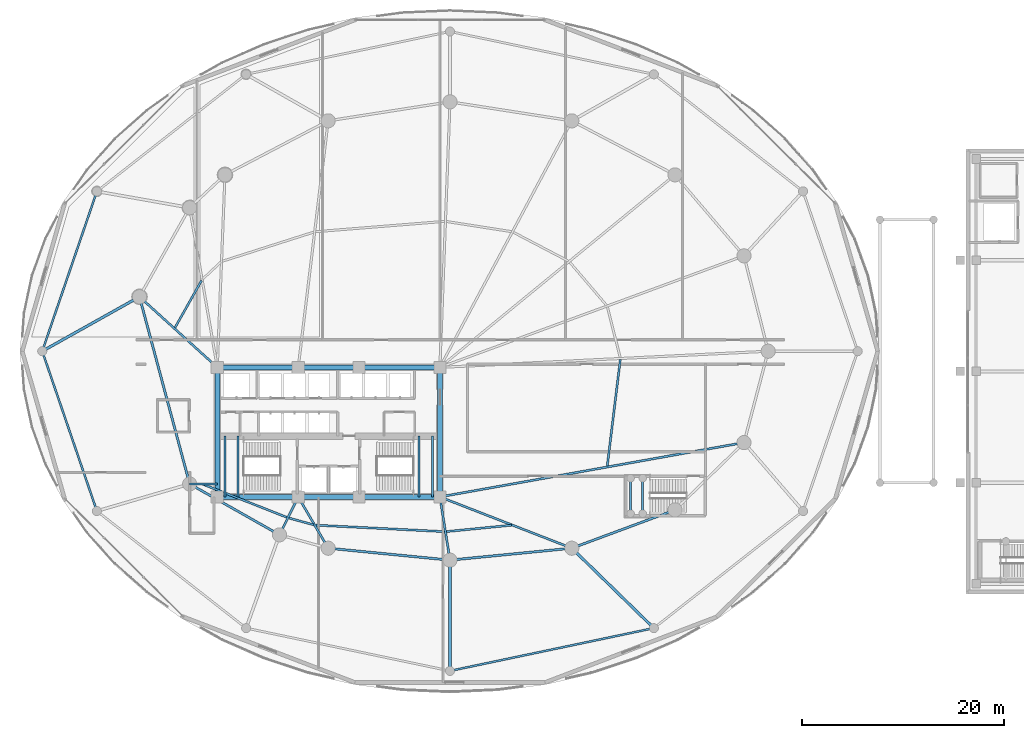
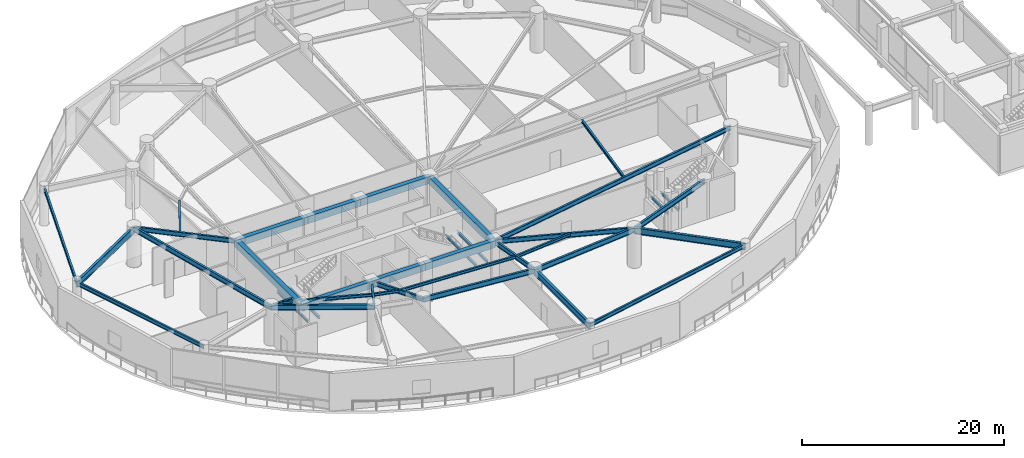
# One storey, part 5 of 40: 38 beams.
"""IFC4 building model written with IfcOpenShell, lengths in metres."""

from ifc_helpers import new_model, si_unit, direction, frame, origin, origin_2d, place, context, subcontext, project, spatial, rectangle, i_section, extrude, material, material_profile, profile_set, type_object, element, save


model = new_model("IFC4")

# Units and contexts
model_context = context("Model", 3, precision=1e-05, world=origin(), true_north=direction((0.0, 1.0)))
body_context = subcontext(model_context, "Body", "Model", "MODEL_VIEW")
ifc_project = project(units=[si_unit("LENGTHUNIT", "METRE"), si_unit("AREAUNIT", "SQUARE_METRE"), si_unit("VOLUMEUNIT", "CUBIC_METRE"), si_unit("PLANEANGLEUNIT", "RADIAN"), si_unit("MASSUNIT", "GRAM", prefix="KILO")], contexts=[model_context])

# Site, building, storey
site_placement = place(None, origin())
site = spatial("IfcSite", under=ifc_project, at=site_placement, CompositionType="ELEMENT")
building_placement = place(site_placement, origin())
building = spatial("IfcBuilding", under=site, at=building_placement, Name="Kazevale Care Tower and Concert Hall", CompositionType="ELEMENT")
storey_placement = place(building_placement, frame((0.0, 0.0, 9.60009765625)))
storey = spatial("IfcBuildingStorey", under=building, at=storey_placement, Name="L02", CompositionType="ELEMENT", Elevation=9.60009765625)

# Beams
ifc_material_1 = material(Name="Concrete C60", Category="concrete")
ifc_material_profile_1 = material_profile(ifc_material_1, rectangle(XDim=0.5, YDim=0.85009765625, at=origin_2d()), Name="RC-B500x850")
ifc_profile_set_1 = profile_set([ifc_material_profile_1], Name="Concrete C60")
beam_type_1 = type_object("IfcBeamType", Name="Core Coupling Beam RC500x850", PredefinedType="LINTEL", material=ifc_profile_set_1)
beam_1_placement = place(storey_placement, frame((22.0, 23.60009765625, 4.094970703125), z_axis=(1.0, 0.0, 0.0), x_axis=(0.0, 1.0, 0.0)))
element("IfcBeam", 1, at=beam_1_placement, inside=storey, type_object=beam_type_1, Name="beam:L02:coretie:1", PredefinedType="LINTEL", context=body_context, shape_type="SweptSolid", body=[
    extrude(rectangle(XDim=0.5, YDim=0.85009765625, at=origin_2d()), origin(), (0.0, 0.0, 1.0), 8.0),
])
beam_2_placement = place(storey_placement, frame((30.0, 23.60009765625, 4.094970703125), z_axis=(1.0, 0.0, 0.0), x_axis=(0.0, 1.0, 0.0)))
element("IfcBeam", 2, at=beam_2_placement, inside=storey, type_object=beam_type_1, Name="beam:L02:coretie:2", PredefinedType="LINTEL", context=body_context, shape_type="SweptSolid", body=[
    extrude(rectangle(XDim=0.5, YDim=0.85009765625, at=origin_2d()), origin(), (0.0, 0.0, 1.0), 6.0),
])
beam_3_placement = place(storey_placement, frame((36.0, 23.60009765625, 4.094970703125), z_axis=(1.0, 0.0, 0.0), x_axis=(0.0, 1.0, 0.0)))
element("IfcBeam", 3, at=beam_3_placement, inside=storey, type_object=beam_type_1, Name="beam:L02:coretie:3", PredefinedType="LINTEL", context=body_context, shape_type="SweptSolid", body=[
    extrude(rectangle(XDim=0.5, YDim=0.85009765625, at=origin_2d()), origin(), (0.0, 0.0, 1.0), 8.0),
])
beam_4_placement = place(storey_placement, frame((44.0, 23.60009765625, 4.094970703125), z_axis=(0.0, 1.0, 0.0), x_axis=(-1.0, 0.0, 0.0)))
element("IfcBeam", 4, at=beam_4_placement, inside=storey, type_object=beam_type_1, Name="beam:L02:coretie:4", PredefinedType="LINTEL", context=body_context, shape_type="SweptSolid", body=[
    extrude(rectangle(XDim=0.5, YDim=0.85009765625, at=origin_2d()), origin(), (0.0, 0.0, 1.0), 12.7998046875),
])
beam_5_placement = place(storey_placement, frame((44.0, 36.39990234375, 4.094970703125), z_axis=(-1.0, 0.0, 0.0), x_axis=(0.0, -1.0, 0.0)))
element("IfcBeam", 5, at=beam_5_placement, inside=storey, type_object=beam_type_1, Name="beam:L02:coretie:5", PredefinedType="LINTEL", context=body_context, shape_type="SweptSolid", body=[
    extrude(rectangle(XDim=0.5, YDim=0.85009765625, at=origin_2d()), origin(), (0.0, 0.0, 1.0), 8.0),
])
beam_6_placement = place(storey_placement, frame((36.0, 36.39990234375, 4.094970703125), z_axis=(-1.0, 0.0, 0.0), x_axis=(0.0, -1.0, 0.0)))
element("IfcBeam", 6, at=beam_6_placement, inside=storey, type_object=beam_type_1, Name="beam:L02:coretie:6", PredefinedType="LINTEL", context=body_context, shape_type="SweptSolid", body=[
    extrude(rectangle(XDim=0.5, YDim=0.85009765625, at=origin_2d()), origin(), (0.0, 0.0, 1.0), 6.0),
])
beam_7_placement = place(storey_placement, frame((30.0, 36.39990234375, 4.094970703125), z_axis=(-1.0, 0.0, 0.0), x_axis=(0.0, -1.0, 0.0)))
element("IfcBeam", 7, at=beam_7_placement, inside=storey, type_object=beam_type_1, Name="beam:L02:coretie:7", PredefinedType="LINTEL", context=body_context, shape_type="SweptSolid", body=[
    extrude(rectangle(XDim=0.5, YDim=0.85009765625, at=origin_2d()), origin(), (0.0, 0.0, 1.0), 8.0),
])
beam_8_placement = place(storey_placement, frame((22.0, 36.39990234375, 4.094970703125), z_axis=(0.0, -1.0, 0.0), x_axis=(1.0, 0.0, 0.0)))
element("IfcBeam", 8, at=beam_8_placement, inside=storey, type_object=beam_type_1, Name="beam:L02:coretie:8", PredefinedType="LINTEL", context=body_context, shape_type="SweptSolid", body=[
    extrude(rectangle(XDim=0.5, YDim=0.85009765625, at=origin_2d()), origin(), (0.0, 0.0, 1.0), 12.7998046875),
])
ifc_material_2 = material(Name="Steel ASTM A572 Gr 50", Category="steel")
ifc_material_profile_2 = material_profile(ifc_material_2, i_section(OverallWidth=0.194091796875, OverallDepth=0.468994140625, WebThickness=0.0126953125, FlangeThickness=0.0205078125, at=origin_2d()), Name="W460x106")
ifc_profile_set_2 = profile_set([ifc_material_profile_2], Name="Steel ASTM A572 Gr 50")
beam_type_2 = type_object("IfcBeamType", Name="Podium Floor Beam W460x106", PredefinedType="BEAM", material=ifc_profile_set_2)
for number, where, z_axis, x_axis, name in (
    (9, (10.10009765625, 53.800048828125, 4.285400390625), (-0.323412440773, -0.946258100707, 0.0), (0.946258100707, -0.323412440773, 0.0), "beam:L02:podring:06"),
    (10, (4.699951171875, 38.0, 4.285400390625), (0.323412440773, -0.946258100707, 0.0), (0.946258100707, 0.323412440773, 0.0), "beam:L02:podring:07"),
):
    element("IfcBeam", number, at=place(storey_placement, frame(where, z_axis=z_axis, x_axis=x_axis)), inside=storey, type_object=beam_type_2, Name=name, PredefinedType="BEAM", context=body_context, shape_type="SweptSolid", body=[
        extrude(i_section(OverallWidth=0.194091796875, OverallDepth=0.468994140625, WebThickness=0.0126953125, FlangeThickness=0.0205078125, at=origin_2d()), origin(), (0.0, 0.0, 1.0), 16.697509765625),
    ])
beam_9_placement = place(storey_placement, frame((45.0, 6.39990234375, 4.285400390625), z_axis=(0.978668137727, 0.205447502293, 0.0), x_axis=(-0.205447502293, 0.978668137727, 0.0)))
element("IfcBeam", 11, at=beam_9_placement, inside=storey, type_object=beam_type_2, Name="beam:L02:podring:10", PredefinedType="BEAM", context=body_context, shape_type="SweptSolid", body=[
    extrude(i_section(OverallWidth=0.194091796875, OverallDepth=0.468994140625, WebThickness=0.0126953125, FlangeThickness=0.0205078125, at=origin_2d()), origin(), (0.0, 0.0, 1.0), 20.589111328125),
])
ifc_material_profile_3 = material_profile(ifc_material_2, i_section(OverallWidth=0.26806640625, OverallDepth=0.77001953125, WebThickness=0.015625, FlangeThickness=0.025390625, at=origin_2d()), Name="W760x196")
ifc_profile_set_3 = profile_set([ifc_material_profile_3], Name="Steel ASTM A572 Gr 50")
beam_type_3 = type_object("IfcBeamType", Name="Podium Primary Girder W760x196", PredefinedType="BEAM", material=ifc_profile_set_3)
beam_10_placement = place(storey_placement, frame((14.31005859375, 43.3798828125, 4.135009765625), z_axis=(-0.872574804498, -0.488480511951, 0.0), x_axis=(0.488480511951, -0.872574804498, 0.0)))
element("IfcBeam", 12, at=beam_10_placement, inside=storey, type_object=beam_type_3, Name="beam:L02:podrad:07", PredefinedType="BEAM", context=body_context, shape_type="SweptSolid", body=[
    extrude(i_section(OverallWidth=0.26806640625, OverallDepth=0.77001953125, WebThickness=0.015625, FlangeThickness=0.025390625, at=origin_2d()), origin(), (0.0, 0.0, 1.0), 11.013427734375),
])
beam_11_placement = place(storey_placement, frame((45.0, 17.35009765625, 4.135009765625), z_axis=(0.0, -1.0, 0.0), x_axis=(1.0, 0.0, 0.0)))
element("IfcBeam", 13, at=beam_11_placement, inside=storey, type_object=beam_type_3, Name="beam:L02:podrad:10", PredefinedType="BEAM", context=body_context, shape_type="SweptSolid", body=[
    extrude(i_section(OverallWidth=0.26806640625, OverallDepth=0.77001953125, WebThickness=0.015625, FlangeThickness=0.025390625, at=origin_2d()), origin(), (0.0, 0.0, 1.0), 10.9501953125),
])
beam_12_placement = place(storey_placement, frame((57.0400390625, 18.530029296875, 4.135009765625), z_axis=(0.716307795312, -0.697784452661, 0.0), x_axis=(0.697784452661, 0.716307795312, 0.0)))
element("IfcBeam", 14, at=beam_12_placement, inside=storey, type_object=beam_type_3, Name="beam:L02:podrad:11", PredefinedType="BEAM", context=body_context, shape_type="SweptSolid", body=[
    extrude(i_section(OverallWidth=0.26806640625, OverallDepth=0.77001953125, WebThickness=0.015625, FlangeThickness=0.025390625, at=origin_2d()), origin(), (0.0, 0.0, 1.0), 11.32177734375),
])
ifc_material_profile_4 = material_profile(ifc_material_2, i_section(OverallWidth=0.2119140625, OverallDepth=0.5439453125, WebThickness=0.01318359375, FlangeThickness=0.021240234375, at=origin_2d()), Name="W530x123")
ifc_profile_set_4 = profile_set([ifc_material_profile_4], Name="Steel ASTM A572 Gr 50")
beam_type_4 = type_object("IfcBeamType", Name="Radial Floor Girder W530x123", PredefinedType="BEAM", material=ifc_profile_set_4)
beam_13_placement = place(storey_placement, frame((22.0, 36.39990234375, 4.247802734375), z_axis=(-0.740461073653, 0.672099247436, 0.0), x_axis=(-0.672099247436, -0.740461073653, 0.0)))
element("IfcBeam", 15, at=beam_13_placement, inside=storey, type_object=beam_type_4, Name="beam:L02:rad:09", PredefinedType="BEAM", context=body_context, shape_type="SweptSolid", body=[
    extrude(i_section(OverallWidth=0.2119140625, OverallDepth=0.5439453125, WebThickness=0.01318359375, FlangeThickness=0.021240234375, at=origin_2d()), origin(), (0.0, 0.0, 1.0), 10.38525390625),
])
beam_14_placement = place(storey_placement, frame((22.0, 24.8798828125, 4.247802734375), z_axis=(-1.0, 0.0, 0.0), x_axis=(0.0, -1.0, 0.0)))
element("IfcBeam", 16, at=beam_14_placement, inside=storey, type_object=beam_type_4, Name="beam:L02:rad:10", PredefinedType="BEAM", context=body_context, shape_type="SweptSolid", body=[
    extrude(i_section(OverallWidth=0.2119140625, OverallDepth=0.5439453125, WebThickness=0.01318359375, FlangeThickness=0.021240234375, at=origin_2d()), origin(), (0.0, 0.0, 1.0), 2.72998046875),
])
beam_15_placement = place(storey_placement, frame((30.0, 23.60009765625, 4.247802734375), z_axis=(-0.442443019162, -0.896796618412, 0.0), x_axis=(0.896796618412, -0.442443019162, 0.0)))
element("IfcBeam", 17, at=beam_15_placement, inside=storey, type_object=beam_type_4, Name="beam:L02:rad:11", PredefinedType="BEAM", context=body_context, shape_type="SweptSolid", body=[
    extrude(i_section(OverallWidth=0.2119140625, OverallDepth=0.5439453125, WebThickness=0.01318359375, FlangeThickness=0.021240234375, at=origin_2d()), origin(), (0.0, 0.0, 1.0), 4.181640625),
])
beam_16_placement = place(storey_placement, frame((30.0, 23.60009765625, 4.247802734375), z_axis=(0.50417868077, -0.86359936189, 0.0), x_axis=(0.86359936189, 0.50417868077, 0.0)))
element("IfcBeam", 18, at=beam_16_placement, inside=storey, type_object=beam_type_4, Name="beam:L02:rad:12", PredefinedType="BEAM", context=body_context, shape_type="SweptSolid", body=[
    extrude(i_section(OverallWidth=0.2119140625, OverallDepth=0.5439453125, WebThickness=0.01318359375, FlangeThickness=0.021240234375, at=origin_2d()), origin(), (0.0, 0.0, 1.0), 5.870849609375),
])
beam_17_placement = place(storey_placement, frame((44.0, 23.60009765625, 4.247802734375), z_axis=(0.157990501107, -0.987440631917, 0.0), x_axis=(0.987440631917, 0.157990501107, 0.0)))
element("IfcBeam", 19, at=beam_17_placement, inside=storey, type_object=beam_type_4, Name="beam:L02:rad:13", PredefinedType="BEAM", context=body_context, shape_type="SweptSolid", body=[
    extrude(i_section(OverallWidth=0.2119140625, OverallDepth=0.5439453125, WebThickness=0.01318359375, FlangeThickness=0.021240234375, at=origin_2d()), origin(), (0.0, 0.0, 1.0), 6.32958984375),
])
beam_18_placement = place(storey_placement, frame((44.0, 23.60009765625, 4.247802734375), z_axis=(0.932030212407, -0.362380577792, 0.0), x_axis=(0.362380577792, 0.932030212407, 0.0)))
element("IfcBeam", 20, at=beam_18_placement, inside=storey, type_object=beam_type_4, Name="beam:L02:rad:14", PredefinedType="BEAM", context=body_context, shape_type="SweptSolid", body=[
    extrude(i_section(OverallWidth=0.2119140625, OverallDepth=0.5439453125, WebThickness=0.01318359375, FlangeThickness=0.021240234375, at=origin_2d()), origin(), (0.0, 0.0, 1.0), 13.990966796875),
])
beam_19_placement = place(storey_placement, frame((44.0, 23.60009765625, 4.247802734375), z_axis=(0.984416208219, 0.175854283415, 0.0), x_axis=(-0.175854283415, 0.984416208219, 0.0)))
element("IfcBeam", 21, at=beam_19_placement, inside=storey, type_object=beam_type_4, Name="beam:L02:rad:16", PredefinedType="BEAM", context=body_context, shape_type="SweptSolid", body=[
    extrude(i_section(OverallWidth=0.2119140625, OverallDepth=0.5439453125, WebThickness=0.01318359375, FlangeThickness=0.021240234375, at=origin_2d()), origin(), (0.0, 0.0, 1.0), 30.535888671875),
])
ifc_material_profile_5 = material_profile(ifc_material_2, i_section(OverallWidth=0.22900390625, OverallDepth=0.612060546875, WebThickness=0.011962890625, FlangeThickness=0.01953125, at=origin_2d()), Name="W610x125")
ifc_profile_set_5 = profile_set([ifc_material_profile_5], Name="Steel ASTM A572 Gr 50")
beam_type_5 = type_object("IfcBeamType", Name="Ring Spandrel Beam W610x125", PredefinedType="SPANDREL", material=ifc_profile_set_5)
beam_20_placement = place(storey_placement, frame((14.31005859375, 43.3798828125, 4.2138671875), z_axis=(0.258960352031, -0.965887952133, 0.0), x_axis=(0.965887952133, 0.258960352031, 0.0)))
element("IfcBeam", 22, at=beam_20_placement, inside=storey, type_object=beam_type_5, Name="beam:L02:ring:09", PredefinedType="SPANDREL", context=body_context, shape_type="SweptSolid", body=[
    extrude(i_section(OverallWidth=0.22900390625, OverallDepth=0.612060546875, WebThickness=0.011962890625, FlangeThickness=0.01953125, at=origin_2d()), origin(), (0.0, 0.0, 1.0), 19.1533203125),
])
beam_21_placement = place(storey_placement, frame((19.27001953125, 24.8798828125, 4.2138671875), z_axis=(0.870112469479, -0.492853213906, 0.0), x_axis=(0.492853213906, 0.870112469479, 0.0)))
element("IfcBeam", 23, at=beam_21_placement, inside=storey, type_object=beam_type_5, Name="beam:L02:ring:10", PredefinedType="SPANDREL", context=body_context, shape_type="SweptSolid", body=[
    extrude(i_section(OverallWidth=0.22900390625, OverallDepth=0.612060546875, WebThickness=0.011962890625, FlangeThickness=0.01953125, at=origin_2d()), origin(), (0.0, 0.0, 1.0), 10.205322265625),
])
for number, where, z_axis, x_axis, name in (
    (24, (32.9599609375, 18.530029296875, 4.2138671875), (0.995232251602, -0.09753340644, 0.0), (0.09753340644, 0.995232251602, 0.0), "beam:L02:ring:12"),
    (25, (45.0, 17.35009765625, 4.2138671875), (0.995232251602, 0.09753340644, 0.0), (-0.09753340644, 0.995232251602, 0.0), "beam:L02:ring:13"),
):
    element("IfcBeam", number, at=place(storey_placement, frame(where, z_axis=z_axis, x_axis=x_axis)), inside=storey, type_object=beam_type_5, Name=name, PredefinedType="SPANDREL", context=body_context, shape_type="SweptSolid", body=[
        extrude(i_section(OverallWidth=0.22900390625, OverallDepth=0.612060546875, WebThickness=0.011962890625, FlangeThickness=0.01953125, at=origin_2d()), origin(), (0.0, 0.0, 1.0), 12.09765625),
    ])
beam_22_placement = place(storey_placement, frame((57.0400390625, 18.530029296875, 4.2138671875), z_axis=(0.937680788596, 0.347497825458, 0.0), x_axis=(-0.347497825458, 0.937680788596, 0.0)))
element("IfcBeam", 26, at=beam_22_placement, inside=storey, type_object=beam_type_5, Name="beam:L02:ring:14", PredefinedType="SPANDREL", context=body_context, shape_type="SweptSolid", body=[
    extrude(i_section(OverallWidth=0.22900390625, OverallDepth=0.612060546875, WebThickness=0.011962890625, FlangeThickness=0.01953125, at=origin_2d()), origin(), (0.0, 0.0, 1.0), 10.8779296875),
])
ifc_material_profile_6 = material_profile(ifc_material_2, i_section(OverallWidth=0.205078125, OverallDepth=0.35400390625, WebThickness=0.009521484375, FlangeThickness=0.016845703125, at=origin_2d()), Name="W360x79")
ifc_profile_set_6 = profile_set([ifc_material_profile_6], Name="Steel ASTM A572 Gr 50")
beam_type_6 = type_object("IfcBeamType", Name="Secondary Floor Joist W360x79", PredefinedType="JOIST", material=ifc_profile_set_6)
beam_23_placement = place(storey_placement, frame((20.447021484375, 44.988037109375, 4.343017578125), z_axis=(-0.490956987312, -0.871183813331, 0.0), x_axis=(0.871183813331, -0.490956987312, 0.0)))
element("IfcBeam", 27, at=beam_23_placement, inside=storey, type_object=beam_type_6, Name="beam:L02:joist:08", PredefinedType="JOIST", context=body_context, shape_type="SweptSolid", body=[
    extrude(i_section(OverallWidth=0.205078125, OverallDepth=0.35400390625, WebThickness=0.009521484375, FlangeThickness=0.016845703125, at=origin_2d()), origin(), (0.0, 0.0, 1.0), 5.3466796875),
])
beam_24_placement = place(storey_placement, frame((20.595947265625, 24.842041015625, 4.343017578125), z_axis=(0.930380638802, -0.366594963062, 0.0), x_axis=(0.366594963062, 0.930380638802, 0.0)))
element("IfcBeam", 28, at=beam_24_placement, inside=storey, type_object=beam_type_6, Name="beam:L02:joist:10", PredefinedType="JOIST", context=body_context, shape_type="SweptSolid", body=[
    extrude(i_section(OverallWidth=0.205078125, OverallDepth=0.35400390625, WebThickness=0.009521484375, FlangeThickness=0.016845703125, at=origin_2d()), origin(), (0.0, 0.0, 1.0), 8.909423828125),
])
beam_25_placement = place(storey_placement, frame((29.083984375, 21.510009765625, 4.343017578125), z_axis=(0.964302027389, -0.264804833743, 0.0), x_axis=(0.264804833743, 0.964302027389, 0.0)))
element("IfcBeam", 29, at=beam_25_placement, inside=storey, type_object=beam_type_6, Name="beam:L02:joist:11", PredefinedType="JOIST", context=body_context, shape_type="SweptSolid", body=[
    extrude(i_section(OverallWidth=0.205078125, OverallDepth=0.35400390625, WebThickness=0.009521484375, FlangeThickness=0.016845703125, at=origin_2d()), origin(), (0.0, 0.0, 1.0), 2.533447265625),
])
beam_26_placement = place(storey_placement, frame((31.73291015625, 20.805908203125, 4.343017578125), z_axis=(0.998743186005, -0.050120339262, 0.0), x_axis=(0.050120339262, 0.998743186005, 0.0)))
element("IfcBeam", 30, at=beam_26_placement, inside=storey, type_object=beam_type_6, Name="beam:L02:joist:12", PredefinedType="JOIST", context=body_context, shape_type="SweptSolid", body=[
    extrude(i_section(OverallWidth=0.205078125, OverallDepth=0.35400390625, WebThickness=0.009521484375, FlangeThickness=0.016845703125, at=origin_2d()), origin(), (0.0, 0.0, 1.0), 12.728271484375),
])
beam_27_placement = place(storey_placement, frame((44.654052734375, 20.173095703125, 4.343017578125), z_axis=(0.995242075791, 0.097433108212, 0.0), x_axis=(-0.097433108212, 0.995242075791, 0.0)))
element("IfcBeam", 31, at=beam_27_placement, inside=storey, type_object=beam_type_6, Name="beam:L02:joist:13", PredefinedType="JOIST", context=body_context, shape_type="SweptSolid", body=[
    extrude(i_section(OverallWidth=0.205078125, OverallDepth=0.35400390625, WebThickness=0.009521484375, FlangeThickness=0.016845703125, at=origin_2d()), origin(), (0.0, 0.0, 1.0), 6.44482421875),
])
beam_28_placement = place(storey_placement, frame((60.5458984375, 26.657958984375, 4.343017578125), z_axis=(0.1216468088, 0.992573450133, 0.0), x_axis=(-0.992573450133, 0.1216468088, 0.0)))
element("IfcBeam", 32, at=beam_28_placement, inside=storey, type_object=beam_type_6, Name="beam:L02:joist:16", PredefinedType="JOIST", context=body_context, shape_type="SweptSolid", body=[
    extrude(i_section(OverallWidth=0.205078125, OverallDepth=0.35400390625, WebThickness=0.009521484375, FlangeThickness=0.016845703125, at=origin_2d()), origin(), (0.0, 0.0, 1.0), 10.5966796875),
])
ifc_material_profile_7 = material_profile(ifc_material_2, i_section(OverallWidth=0.202880859375, OverallDepth=0.302978515625, WebThickness=0.007568359375, FlangeThickness=0.01318359375, at=origin_2d()), Name="W310x60")
ifc_profile_set_7 = profile_set([ifc_material_profile_7], Name="Steel ASTM A572 Gr 50")
beam_type_7 = type_object("IfcBeamType", Name="Stair & Balcony Trimmer W310x60", PredefinedType="BEAM", material=ifc_profile_set_7)
for number, where, z_axis, x_axis, name in (
    (33, (22.75, 23.60009765625, 2.04833984375), (0.0, 1.0, 0.0), (-1.0, 0.0, 0.0), "beam:L02:sttrim:ST1"),
    (34, (24.050048828125, 23.60009765625, 2.04833984375), (0.0, 1.0, 0.0), (-1.0, 0.0, 0.0), "beam:L02:sttrim:ST1b"),
    (35, (41.949951171875, 23.60009765625, 2.04833984375), (0.0, 1.0, 0.0), (-1.0, 0.0, 0.0), "beam:L02:sttrim:ST2"),
    (36, (43.25, 23.60009765625, 2.04833984375), (0.0, 1.0, 0.0), (-1.0, 0.0, 0.0), "beam:L02:sttrim:ST2b"),
):
    element("IfcBeam", number, at=place(storey_placement, frame(where, z_axis=z_axis, x_axis=x_axis)), inside=storey, type_object=beam_type_7, Name=name, PredefinedType="BEAM", context=body_context, shape_type="SweptSolid", body=[
        extrude(i_section(OverallWidth=0.202880859375, OverallDepth=0.302978515625, WebThickness=0.007568359375, FlangeThickness=0.01318359375, at=origin_2d()), origin(), (0.0, 0.0, 1.0), 6.0),
    ])
for number, where, z_axis, x_axis, name in (
    (37, (62.85009765625, 21.949951171875, 2.04833984375), (0.0, 1.0, 0.0), (-1.0, 0.0, 0.0), "beam:L02:st3trim:1"),
    (38, (64.050048828125, 21.949951171875, 2.04833984375), (0.0, 1.0, 0.0), (-1.0, 0.0, 0.0), "beam:L02:st3trim:2"),
):
    element("IfcBeam", number, at=place(storey_placement, frame(where, z_axis=z_axis, x_axis=x_axis)), inside=storey, type_object=beam_type_7, Name=name, PredefinedType="BEAM", context=body_context, shape_type="SweptSolid", body=[
        extrude(i_section(OverallWidth=0.202880859375, OverallDepth=0.302978515625, WebThickness=0.007568359375, FlangeThickness=0.01318359375, at=origin_2d()), origin(), (0.0, 0.0, 1.0), 3.5),
    ])

save(model, "model.ifc")
